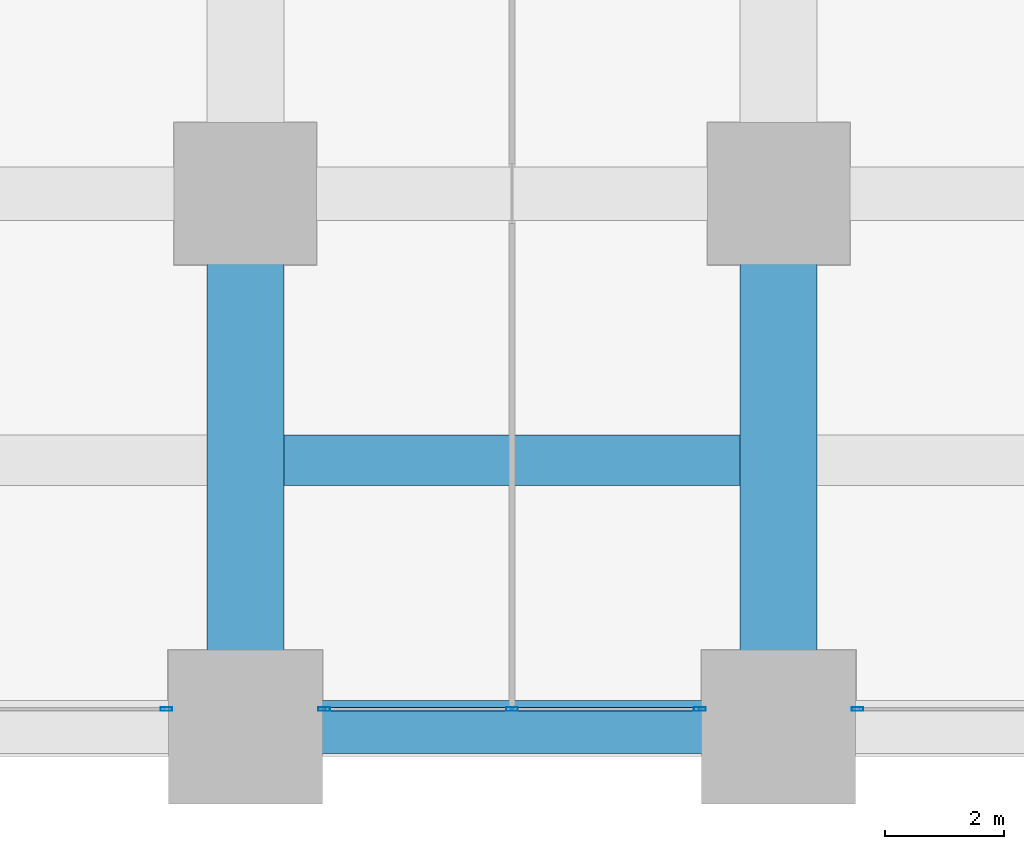
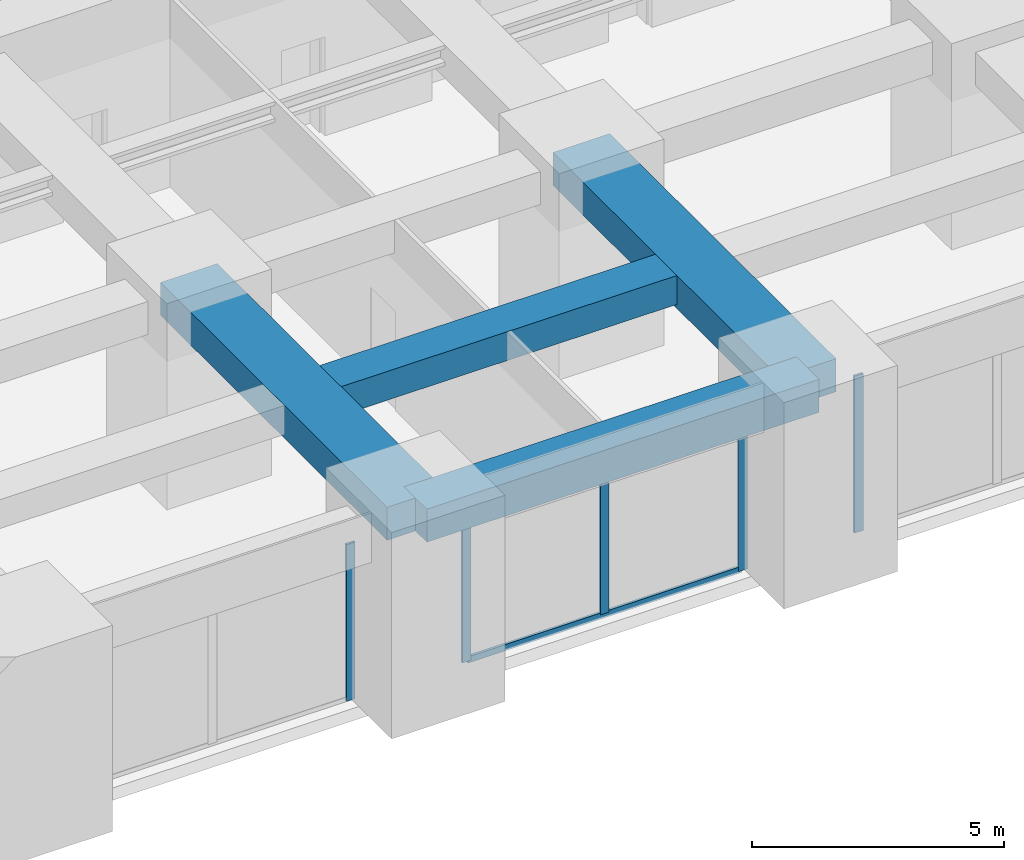
# One storey, part 13 of 46: 6 members, 4 beams, 3 elements without a shape of their own.
"""IFC4 building model written with IfcOpenShell, lengths in metres."""

import ifcopenshell
import ifcopenshell.guid

model = None  # the IFC model being written
_history = None  # IfcOwnerHistory: only IFC2X3 demands one
_inside = {}  # id of a spatial element -> (the spatial element, [elements in it])
_under = {}  # id of a project, library or spatial element -> (it, [spatial elements below it])
_declared = {}  # id of a project -> (the project, [libraries it declares])
_typed = {}  # id of a type object -> (the type object, [elements of that type])
_made_of = {}  # id of a material, layer set ... -> (it, [elements and type objects made of it])


def new_model(schema):
    """Start an empty IFC model of exactly this schema.

    Asked for "IFC4X3", IfcOpenShell would pick the latest addendum, in which some entities
    have other attributes; the version numbers below select the first issue.
    IFC2X3 requires an IfcOwnerHistory on every rooted entity: one is made here for all.
    """
    global model, _history
    if schema == "IFC4X3":
        model = ifcopenshell.file(schema_version=(4, 3, 0, 0))
    else:
        model = ifcopenshell.file(schema=schema)
    _inside.clear()
    _under.clear()
    _declared.clear()
    _typed.clear()
    _made_of.clear()
    _history = None
    if model.schema == "IFC2X3":
        org = make("IfcOrganization", Name="unknown")
        user = make(
            "IfcPersonAndOrganization",
            ThePerson=make("IfcPerson", FamilyName="unknown"),
            TheOrganization=org,
        )
        app = make(
            "IfcApplication",
            ApplicationDeveloper=org,
            Version="unknown",
            ApplicationFullName="unknown",
            ApplicationIdentifier="unknown",
        )
        _history = make(
            "IfcOwnerHistory",
            OwningUser=user,
            OwningApplication=app,
            ChangeAction="ADDED",
            CreationDate=0,
        )
    return model


def make(cls, **values):
    """One entity of the class cls with the attributes given. An attribute that is None is left unset."""
    return model.create_entity(
        cls, **{name: value for name, value in values.items() if value is not None}
    )


def rooted(cls, **values):
    """An entity with a GlobalId (a new one), such as an element, a storey or a relation."""
    return make(cls, GlobalId=ifcopenshell.guid.new(), OwnerHistory=_history, **values)


def si_unit(unit_type, name, prefix=None):
    """IfcSIUnit, for example si_unit("LENGTHUNIT", "METRE", prefix="MILLI")."""
    return make("IfcSIUnit", UnitType=unit_type, Prefix=prefix, Name=name)


def assignment(units):
    """IfcUnitAssignment: the units of a project."""
    return None if units is None else make("IfcUnitAssignment", Units=units)


def point(xyz):
    """IfcCartesianPoint."""
    return None if xyz is None else make("IfcCartesianPoint", Coordinates=xyz)


def direction(xyz):
    """IfcDirection."""
    return None if xyz is None else make("IfcDirection", DirectionRatios=xyz)


def frame(location, z_axis=None, x_axis=None):
    """IfcAxis2Placement3D, a coordinate frame: its origin and axes. An axis left out is left unset."""
    return make(
        "IfcAxis2Placement3D",
        Location=point(location),
        Axis=direction(z_axis),
        RefDirection=direction(x_axis),
    )


def frame_2d(location, x_axis=None):
    """IfcAxis2Placement2D, a coordinate frame in the plane: its origin and x axis."""
    return make(
        "IfcAxis2Placement2D", Location=point(location), RefDirection=direction(x_axis)
    )


def origin():
    """The frame at (0, 0, 0) with its axes left unset."""
    return frame((0.0, 0.0, 0.0))


def origin_2d():
    """The frame at (0, 0) in the plane with its x axis left unset."""
    return frame_2d((0.0, 0.0))


def place(relative_to, where):
    """IfcLocalPlacement: puts the frame where relative to a parent placement (None: the world)."""
    return make(
        "IfcLocalPlacement", PlacementRelTo=relative_to, RelativePlacement=where
    )


def context(
    kind, dimensions, precision=None, world=None, true_north=None, identifier=None
):
    """IfcGeometricRepresentationContext, for example the 3D "Model" context."""
    return make(
        "IfcGeometricRepresentationContext",
        ContextIdentifier=identifier,
        ContextType=kind,
        CoordinateSpaceDimension=dimensions,
        Precision=precision,
        WorldCoordinateSystem=world,
        TrueNorth=true_north,
    )


def subcontext(parent, identifier, kind, view, scale=None):
    """IfcGeometricRepresentationSubContext, for example "Body" below "Model"."""
    return make(
        "IfcGeometricRepresentationSubContext",
        ContextIdentifier=identifier,
        ContextType=kind,
        ParentContext=parent,
        TargetScale=scale,
        TargetView=view,
    )


def project(units=None, contexts=None):
    """IfcProject with its units and contexts."""
    return rooted(
        "IfcProject",
        Name="project",
        RepresentationContexts=contexts,
        UnitsInContext=assignment(units),
    )


def spatial(cls, under=None, at=None, **own):
    """A site, building, storey or space (cls), placed at a placement, below another one or the project."""
    s = rooted(cls, ObjectPlacement=at, **own)
    if under is not None:
        _under.setdefault(under.id(), (under, []))[1].append(s)
    return s


def profile(cls, at=None, kind="AREA", **sizes):
    """A parametric profile (cls). Its sizes go by their IFC names, for example OverallWidth=200.0."""
    return make(cls, ProfileType=kind, Position=at, **sizes)


def rectangle(**sizes):
    """IfcRectangleProfileDef."""
    return profile("IfcRectangleProfileDef", **sizes)


def hollow_rectangle(**sizes):
    """IfcRectangleHollowProfileDef."""
    return profile("IfcRectangleHollowProfileDef", **sizes)


def extrude(swept, where, along, depth):
    """IfcExtrudedAreaSolid: the profile swept, set in the frame where, extruded along a direction by depth."""
    return make(
        "IfcExtrudedAreaSolid",
        SweptArea=swept,
        Position=where,
        ExtrudedDirection=direction(along),
        Depth=depth,
    )


def shape(context_of_items, identifier, shape_type, items):
    """IfcShapeRepresentation: the items that make up one representation, for example the "Body"."""
    return make(
        "IfcShapeRepresentation",
        ContextOfItems=context_of_items,
        RepresentationIdentifier=identifier,
        RepresentationType=shape_type,
        Items=items,
    )


def material(Name=None, Category=None):
    """IfcMaterial."""
    return make("IfcMaterial", Name=Name, Category=Category)


def material_profile(
    of_material, cross_section, Name=None, Category=None, Priority=None
):
    """IfcMaterialProfile: a cross section and its material."""
    return make(
        "IfcMaterialProfile",
        Name=Name,
        Material=of_material,
        Profile=cross_section,
        Priority=Priority,
        Category=Category,
    )


def profile_set(profiles, Name=None, composite=None):
    """IfcMaterialProfileSet."""
    return make(
        "IfcMaterialProfileSet",
        Name=Name,
        MaterialProfiles=profiles,
        CompositeProfile=composite,
    )


def made_of(thing, what):
    """Note that an element or type object is made of a material, layer set ...; save() writes the relation."""
    if what is not None:
        _made_of.setdefault(what.id(), (what, []))[1].append(thing)
    return thing


def type_object(cls, material=None, **own):
    """A type object (cls), such as IfcWallType, which elements share."""
    return made_of(rooted(cls, **own), material)


def element(
    cls,
    number,
    at=None,
    inside=None,
    cuts=None,
    type_object=None,
    material=None,
    context=None,
    identifier="Body",
    shape_type=None,
    held_by="IfcProductDefinitionShape",
    body=None,
    shapes=None,
    **own,
):
    """One element of the class cls, such as IfcWall. Its Tag is "e" and its number.

    at: its placement. inside: the storey or other place that contains it. cuts: it is an
    opening in that element (IfcRelVoidsElement). A single representation is given by context,
    identifier, shape_type and body (its items); several are given by shapes. held_by: the class
    of the entity that holds the representations. save() writes the other relations.
    """
    e = rooted(cls, Tag="e%d" % number, ObjectPlacement=at, **own)
    if body is not None:
        shapes = [shape(context, identifier, shape_type, body)]
    if shapes is not None:
        e.Representation = make(held_by, Representations=shapes)
    if inside is not None:
        _inside.setdefault(inside.id(), (inside, []))[1].append(e)
    if cuts is not None:
        rooted(
            "IfcRelVoidsElement", RelatingBuildingElement=cuts, RelatedOpeningElement=e
        )
    if type_object is not None:
        _typed.setdefault(type_object.id(), (type_object, []))[1].append(e)
    return made_of(e, material)


def aggregate(whole, parts):
    """IfcRelAggregates: a whole, such as a stair, and the parts it consists of."""
    return rooted("IfcRelAggregates", RelatingObject=whole, RelatedObjects=parts)


def save(model, path):
    """Write the relations noted so far, then the file.

    IfcRelAggregates (storeys below a building ...), IfcRelContainedInSpatialStructure (elements
    in a storey), IfcRelDefinesByType, IfcRelAssociatesMaterial and IfcRelDeclares: one each for
    every whole, place, type object, material and project.
    """
    for whole, parts in _under.values():
        aggregate(whole, parts)
    for where, things in _inside.values():
        rooted(
            "IfcRelContainedInSpatialStructure",
            RelatedElements=things,
            RelatingStructure=where,
        )
    for kind, things in _typed.values():
        rooted("IfcRelDefinesByType", RelatedObjects=things, RelatingType=kind)
    for what, things in _made_of.values():
        rooted("IfcRelAssociatesMaterial", RelatedObjects=things, RelatingMaterial=what)
    for by, libraries in _declared.values():
        rooted("IfcRelDeclares", RelatingContext=by, RelatedDefinitions=libraries)
    model.write(path)


model = new_model("IFC4")

# Units and contexts
model_context = context("Model", 3, precision=1e-05, world=origin(), true_north=direction((0.0, 1.0)))
body_context = subcontext(model_context, "Body", "Model", "MODEL_VIEW")
ifc_project = project(units=[si_unit("LENGTHUNIT", "METRE"), si_unit("AREAUNIT", "SQUARE_METRE"), si_unit("VOLUMEUNIT", "CUBIC_METRE"), si_unit("PLANEANGLEUNIT", "RADIAN"), si_unit("MASSUNIT", "GRAM", prefix="KILO")], contexts=[model_context])

# Site, building, storey
site_placement = place(None, origin())
site = spatial("IfcSite", under=ifc_project, at=site_placement, CompositionType="ELEMENT")
building_placement = place(site_placement, origin())
building = spatial("IfcBuilding", under=site, at=building_placement, Name="Zorevar Civic Tower", CompositionType="ELEMENT")
storey_placement = place(building_placement, frame((0.0, 0.0, 10.800048828125)))
storey = spatial("IfcBuildingStorey", under=building, at=storey_placement, Name="L02", CompositionType="ELEMENT", Elevation=10.800048828125)

# Beams
ifc_material_1 = material(Name="Concrete C50/60", Category="concrete")
ifc_material_profile_1 = material_profile(ifc_material_1, rectangle(XDim=1.300048828125, YDim=0.800048828125, at=origin_2d()), Name="RC 1300x800")
ifc_profile_set_1 = profile_set([ifc_material_profile_1], Name="Concrete C50/60")
beam_type_1 = type_object("IfcBeamType", Name="Beam RC 1300x800", PredefinedType="BEAM", material=ifc_profile_set_1)
for number, where, z_axis, x_axis, name in (
    (1, (27.0, 0.0, 4.199951171875), (0.0, 1.0, 0.0), (-1.0, 0.0, 0.0), "Girder L03"),
    (2, (36.0, 0.0, 4.199951171875), (0.0, 1.0, 0.0), (-1.0, 0.0, 0.0), "Girder L03"),
):
    element("IfcBeam", number, at=place(storey_placement, frame(where, z_axis=z_axis, x_axis=x_axis)), inside=storey, type_object=beam_type_1, Name=name, PredefinedType="BEAM", context=body_context, shape_type="SweptSolid", body=[
        extrude(rectangle(XDim=1.300048828125, YDim=0.800048828125, at=origin_2d()), origin(), (0.0, 0.0, 1.0), 9.0),
    ])
ifc_material_2 = material(Name="Concrete C50/60", Category="concrete")
ifc_material_profile_2 = material_profile(ifc_material_2, rectangle(XDim=0.85009765625, YDim=0.699951171875, at=origin_2d()), Name="RC 850x700")
ifc_profile_set_2 = profile_set([ifc_material_profile_2], Name="Concrete C50/60")
beam_type_2 = type_object("IfcBeamType", Name="Beam RC 850x700", PredefinedType="BEAM", material=ifc_profile_set_2)
beam_1_placement = place(storey_placement, frame((27.64990234375, 4.5, 4.25), z_axis=(1.0, 0.0, 0.0), x_axis=(0.0, 1.0, 0.0)))
element("IfcBeam", 3, at=beam_1_placement, inside=storey, type_object=beam_type_2, Name="Secondary beam L03", PredefinedType="BEAM", context=body_context, shape_type="SweptSolid", body=[
    extrude(rectangle(XDim=0.85009765625, YDim=0.699951171875, at=origin_2d()), origin(), (0.0, 0.0, 1.0), 7.7001953125),
])

# Curtain wall, member
ifc_material_3 = material(Name="Dark grey solar-control glass in black aluminium frame", Category="aluminium")
curtain_wall_type = type_object("IfcCurtainWallType", Name="Curtain wall CW1 podium", PredefinedType="NOTDEFINED", material=ifc_material_3)
curtain_wall_1_placement = place(storey_placement, origin())
curtain_wall_1 = element("IfcCurtainWall", 4, at=curtain_wall_1_placement, inside=storey, type_object=curtain_wall_type, Name="CW1 L02", PredefinedType="NOTDEFINED")
ifc_material_4 = material(Name="Aluminium, black anodised", Category="aluminium")
ifc_material_profile_3 = material_profile(ifc_material_4, hollow_rectangle(XDim=0.06005859375, YDim=0.199951171875, WallThickness=0.00390625, at=origin_2d()), Name="AL 200x60x4")
ifc_profile_set_3 = profile_set([ifc_material_profile_3], Name="Aluminium, black anodised")
member_type_1 = type_object("IfcMemberType", Name="CW1 mullion AL 200x60x4", PredefinedType="MULLION", material=ifc_profile_set_3)
member_1_placement = place(storey_placement, frame((25.669921875, 0.300048828125, 0.0), z_axis=(0.0, 0.0, 1.0), x_axis=(0.0, 1.0, 0.0)))
member_1 = element("IfcMember", 5, at=member_1_placement, type_object=member_type_1, Name="CW1 mullion 3", PredefinedType="MULLION", context=body_context, shape_type="SweptSolid", body=[
    extrude(hollow_rectangle(XDim=0.06005859375, YDim=0.199951171875, WallThickness=0.00390625, at=origin_2d()), origin(), (0.0, 0.0, 1.0), 3.800048828125),
])
aggregate(curtain_wall_1, [member_1])

# Curtain wall, members
curtain_wall_2_placement = place(storey_placement, origin())
curtain_wall_2 = element("IfcCurtainWall", 6, at=curtain_wall_2_placement, inside=storey, type_object=curtain_wall_type, Name="CW1 L02", PredefinedType="NOTDEFINED")
member_2_placement = place(storey_placement, frame((28.330078125, 0.300048828125, 0.0), z_axis=(0.0, 0.0, 1.0), x_axis=(0.0, 1.0, 0.0)))
member_2 = element("IfcMember", 7, at=member_2_placement, type_object=member_type_1, Name="CW1 mullion 1", PredefinedType="MULLION", context=body_context, shape_type="SweptSolid", body=[
    extrude(hollow_rectangle(XDim=0.06005859375, YDim=0.199951171875, WallThickness=0.00390625, at=origin_2d()), origin(), (0.0, 0.0, 1.0), 3.800048828125),
])
member_3_placement = place(storey_placement, frame((31.5, 0.300048828125, 0.06005859375), z_axis=(0.0, 0.0, 1.0), x_axis=(0.0, 1.0, 0.0)))
member_3 = element("IfcMember", 8, at=member_3_placement, type_object=member_type_1, Name="CW1 mullion 2", PredefinedType="MULLION", context=body_context, shape_type="SweptSolid", body=[
    extrude(hollow_rectangle(XDim=0.06005859375, YDim=0.199951171875, WallThickness=0.00390625, at=origin_2d()), origin(), (0.0, 0.0, 1.0), 3.739990234375),
])
member_4_placement = place(storey_placement, frame((34.669921875, 0.300048828125, 0.0), z_axis=(0.0, 0.0, 1.0), x_axis=(0.0, 1.0, 0.0)))
member_4 = element("IfcMember", 9, at=member_4_placement, type_object=member_type_1, Name="CW1 mullion 3", PredefinedType="MULLION", context=body_context, shape_type="SweptSolid", body=[
    extrude(hollow_rectangle(XDim=0.06005859375, YDim=0.199951171875, WallThickness=0.00390625, at=origin_2d()), origin(), (0.0, 0.0, 1.0), 3.800048828125),
])

# Curtain wall, member
curtain_wall_3_placement = place(storey_placement, origin())
curtain_wall_3 = element("IfcCurtainWall", 10, at=curtain_wall_3_placement, inside=storey, type_object=curtain_wall_type, Name="CW1 L02", PredefinedType="NOTDEFINED")
member_5_placement = place(storey_placement, frame((37.330078125, 0.300048828125, 0.0), z_axis=(0.0, 0.0, 1.0), x_axis=(0.0, 1.0, 0.0)))
member_5 = element("IfcMember", 11, at=member_5_placement, type_object=member_type_1, Name="CW1 mullion 1", PredefinedType="MULLION", context=body_context, shape_type="SweptSolid", body=[
    extrude(hollow_rectangle(XDim=0.06005859375, YDim=0.199951171875, WallThickness=0.00390625, at=origin_2d()), origin(), (0.0, 0.0, 1.0), 3.800048828125),
])
aggregate(curtain_wall_3, [member_5])

# Member
ifc_material_5 = material(Name="Aluminium, black anodised", Category="aluminium")
ifc_material_profile_4 = material_profile(ifc_material_5, hollow_rectangle(XDim=0.06005859375, YDim=0.14990234375, WallThickness=0.00390625, at=origin_2d()), Name="AL 150x60x4")
ifc_profile_set_4 = profile_set([ifc_material_profile_4], Name="Aluminium, black anodised")
member_type_2 = type_object("IfcMemberType", Name="CW1 transom AL 150x60x4", PredefinedType="USERDEFINED", material=ifc_profile_set_4)
member_6_placement = place(storey_placement, frame((28.360107421875, 0.300048828125, 0.030029296875), z_axis=(1.0, 0.0, 0.0), x_axis=(0.0, 1.0, 0.0)))
member_6 = element("IfcMember", 12, at=member_6_placement, type_object=member_type_2, Name="CW1 sill transom", ObjectType="TRANSOM", PredefinedType="USERDEFINED", context=body_context, shape_type="SweptSolid", body=[
    extrude(hollow_rectangle(XDim=0.06005859375, YDim=0.14990234375, WallThickness=0.00390625, at=origin_2d()), origin(), (0.0, 0.0, 1.0), 6.27978515625),
])

aggregate(curtain_wall_2, [member_2, member_3, member_4, member_6])

# Beam
ifc_material_6 = material(Name="Concrete C50/60", Category="concrete")
ifc_material_profile_5 = material_profile(ifc_material_6, rectangle(XDim=0.89990234375, YDim=0.800048828125, at=origin_2d()), Name="RC 900x800")
ifc_profile_set_5 = profile_set([ifc_material_profile_5], Name="Concrete C50/60")
beam_type_3 = type_object("IfcBeamType", Name="Edge beam RC 900x800", PredefinedType="SPANDREL", material=ifc_profile_set_5)
beam_2_placement = place(storey_placement, frame((27.0, 0.0, 4.199951171875), z_axis=(1.0, 0.0, 0.0), x_axis=(0.0, 1.0, 0.0)))
element("IfcBeam", 13, at=beam_2_placement, inside=storey, type_object=beam_type_3, Name="Edge beam L03", PredefinedType="SPANDREL", context=body_context, shape_type="SweptSolid", body=[
    extrude(rectangle(XDim=0.89990234375, YDim=0.800048828125, at=origin_2d()), origin(), (0.0, 0.0, 1.0), 9.0),
])

save(model, "model.ifc")
